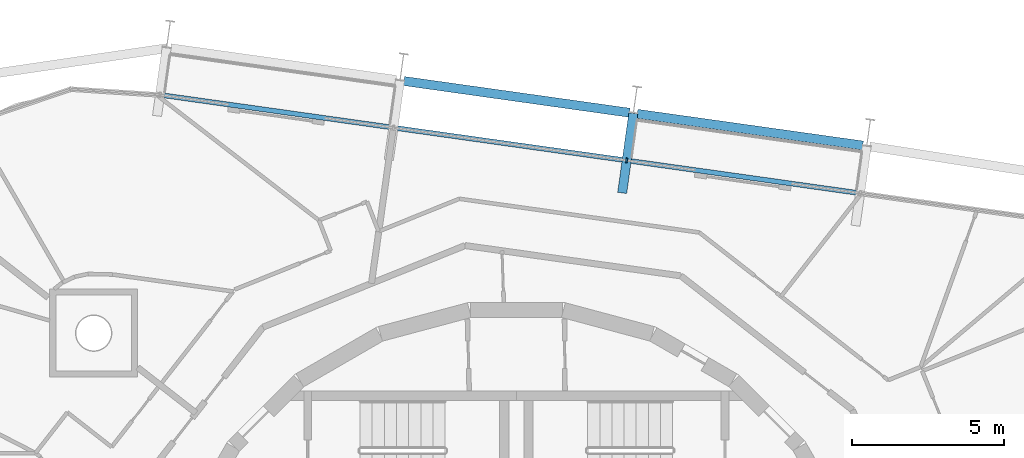
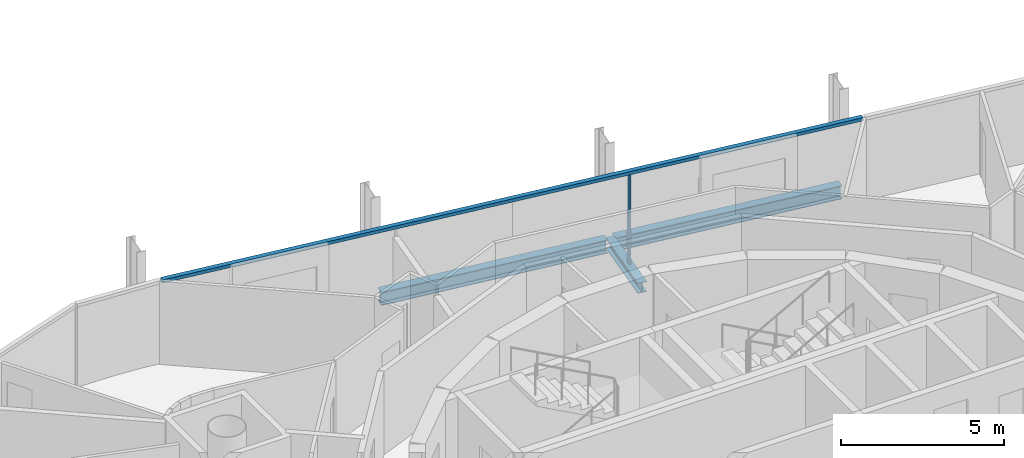
# One storey, part 6 of 15: 3 beams, 2 members, 1 element without a shape of its own.
"""IFC4 building model written with IfcOpenShell, lengths in metres."""

from ifc_helpers import new_model, si_unit, direction, frame, origin, origin_2d, place, context, subcontext, project, spatial, rectangle, i_section, extrude, material, layer, layer_set, material_profile, profile_set, type_object, element, aggregate, save


model = new_model("IFC4")

# Units and contexts
model_context = context("Model", 3, precision=1e-05, world=origin(), true_north=direction((0.0, 1.0)))
body_context = subcontext(model_context, "Body", "Model", "MODEL_VIEW")
ifc_project = project(units=[si_unit("LENGTHUNIT", "METRE"), si_unit("AREAUNIT", "SQUARE_METRE"), si_unit("VOLUMEUNIT", "CUBIC_METRE"), si_unit("PLANEANGLEUNIT", "RADIAN"), si_unit("MASSUNIT", "GRAM", prefix="KILO")], contexts=[model_context])

# Site, building, storey
site_placement = place(None, origin())
site = spatial("IfcSite", under=ifc_project, at=site_placement, CompositionType="ELEMENT")
building_placement = place(site_placement, origin())
building = spatial("IfcBuilding", under=site, at=building_placement, Name="Spindle Arch Residences", CompositionType="ELEMENT")
storey_placement = place(building_placement, frame((0.0, 0.0, 357.5)))
storey = spatial("IfcBuildingStorey", under=building, at=storey_placement, Name="L92", CompositionType="ELEMENT", Elevation=357.5)

# Curtain wall, members
ifc_material_1 = material(Name="Aluminium bronze unitised frame with tinted glass", Category="aluminium")
ifc_layer = layer(ifc_material_1, 0.159912109375)
ifc_layer_set = layer_set([ifc_layer], Name="CW-C typical residential unitised wall")
curtain_wall_type = type_object("IfcCurtainWallType", Name="CW-C typical residential unitised wall", PredefinedType="NOTDEFINED", material=ifc_layer_set)
curtain_wall_placement = place(storey_placement, origin())
curtain_wall = element("IfcCurtainWall", 1, at=curtain_wall_placement, inside=storey, type_object=curtain_wall_type, Name="CW-C L92 run 2", PredefinedType="NOTDEFINED")
ifc_material_2 = material(Name="Aluminium bronze anodised mullion", Category="aluminium")
ifc_material_profile_1 = material_profile(ifc_material_2, rectangle(XDim=0.159912109375, YDim=0.06005859375, at=origin_2d()), Name="MU 60x160")
ifc_profile_set_1 = profile_set([ifc_material_profile_1], Name="Aluminium bronze anodised mullion")
member_type_1 = type_object("IfcMemberType", Name="Bronze mullion 60x160", PredefinedType="MULLION", material=ifc_profile_set_1)
member_1_placement = place(storey_placement, frame((3.63623046875, 16.57373046875, -0.3798828125), z_axis=(0.0, 0.0, 1.0), x_axis=(-0.13917310096, -0.990268068742, 0.0)))
member_1 = element("IfcMember", 2, at=member_1_placement, type_object=member_type_1, Name="CW-C mullion 06", PredefinedType="MULLION", context=body_context, shape_type="SweptSolid", body=[
    extrude(rectangle(XDim=0.159912109375, YDim=0.06005859375, at=origin_2d()), origin(), (0.0, 0.0, 1.0), 3.3798828125),
])
ifc_material_3 = material(Name="Aluminium bronze anodised transom", Category="aluminium")
ifc_material_profile_2 = material_profile(ifc_material_3, rectangle(XDim=0.159912109375, YDim=0.1201171875, at=origin_2d()), Name="TR 120x160")
ifc_profile_set_2 = profile_set([ifc_material_profile_2], Name="Aluminium bronze anodised transom")
member_type_2 = type_object("IfcMemberType", Name="Bronze transom 120x160", PredefinedType="USERDEFINED", material=ifc_profile_set_2)
member_2_placement = place(storey_placement, frame((11.296630859375, 15.4970703125, 3.06005859375), z_axis=(-0.990268437621, 0.13917047622, 0.0), x_axis=(-0.13917047622, -0.990268437621, 0.0)))
member_2 = element("IfcMember", 3, at=member_2_placement, type_object=member_type_2, Name="CW-C transom 00", ObjectType="TRANSOM", PredefinedType="USERDEFINED", context=body_context, shape_type="SweptSolid", body=[
    extrude(rectangle(XDim=0.159912109375, YDim=0.1201171875, at=origin_2d()), origin(), (0.0, 0.0, 1.0), 23.23681640625),
])
aggregate(curtain_wall, [member_2, member_1])

# Beams
ifc_material_4 = material(Name="Steel S460ML, intumescent coating R 120", Category="steel")
ifc_material_profile_3 = material_profile(ifc_material_4, i_section(OverallWidth=0.300048828125, OverallDepth=0.5, WebThickness=0.014404296875, FlangeThickness=0.028076171875, FilletRadius=0.027099609375, at=origin_2d()), Name="HEB 500")
ifc_profile_set_3 = profile_set([ifc_material_profile_3], Name="Steel S460ML, intumescent coating R 120")
beam_type_1 = type_object("IfcBeamType", Name="Exoskeleton edge beam HEB 500", PredefinedType="BEAM", material=ifc_profile_set_3)
for number, where, z_axis, x_axis, name in (
    (4, (11.416015625, 17.065673828125, -0.6298828125), (-0.990266388354, 0.139185057015, 0.0), (-0.139185057015, -0.990266388354, 0.0), "Exoskeleton edge beam 6"),
    (5, (3.72607421875, 18.146484375, -0.6298828125), (-0.990270871131, 0.139153159463, 0.0), (-0.139153159463, -0.990270871131, 0.0), "Exoskeleton edge beam 7"),
):
    element("IfcBeam", number, at=place(storey_placement, frame(where, z_axis=z_axis, x_axis=x_axis)), inside=storey, type_object=beam_type_1, Name=name, PredefinedType="BEAM", context=body_context, shape_type="SweptSolid", body=[
        extrude(i_section(OverallWidth=0.300048828125, OverallDepth=0.5, WebThickness=0.014404296875, FlangeThickness=0.028076171875, FilletRadius=0.027099609375, at=origin_2d()), origin(), (0.0, 0.0, 1.0), 7.505615234375),
    ])
ifc_material_5 = material(Name="Steel S460ML, intumescent coating R 120", Category="steel")
ifc_material_profile_4 = material_profile(ifc_material_5, i_section(OverallWidth=0.300048828125, OverallDepth=0.389892578125, WebThickness=0.010986328125, FlangeThickness=0.01904296875, FilletRadius=0.027099609375, at=origin_2d()), Name="HEA 400")
ifc_profile_set_4 = profile_set([ifc_material_profile_4], Name="Steel S460ML, intumescent coating R 120")
beam_type_2 = type_object("IfcBeamType", Name="Floor outrigger HEA 400", PredefinedType="BEAM", material=ifc_profile_set_4)
beam_placement = place(storey_placement, frame((3.854736328125, 18.12841796875, -0.574951171875), z_axis=(-0.13911226088, -0.990276617351, 0.0), x_axis=(0.990276617351, -0.13911226088, 0.0)))
element("IfcBeam", 6, at=beam_placement, inside=storey, type_object=beam_type_2, Name="Floor outrigger 7", PredefinedType="BEAM", context=body_context, shape_type="SweptSolid", body=[
    extrude(i_section(OverallWidth=0.300048828125, OverallDepth=0.389892578125, WebThickness=0.010986328125, FlangeThickness=0.01904296875, FilletRadius=0.027099609375, at=origin_2d()), origin(), (0.0, 0.0, 1.0), 2.650146484375),
])

save(model, "model.ifc")
